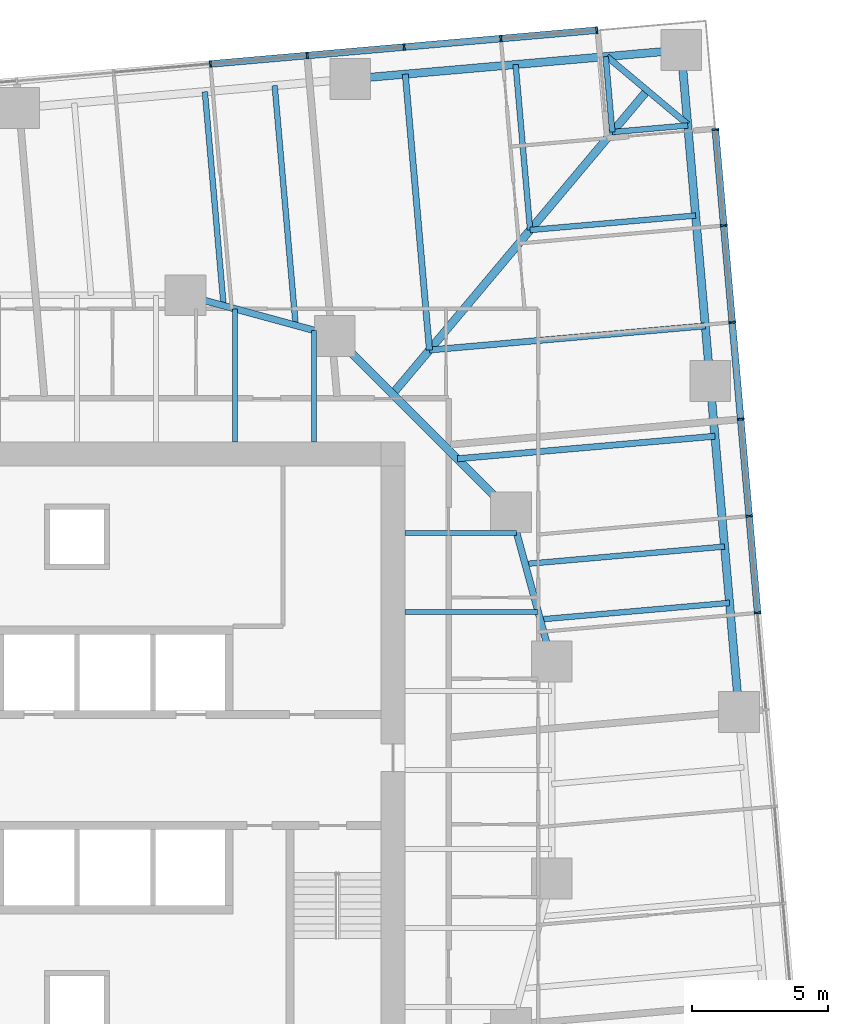
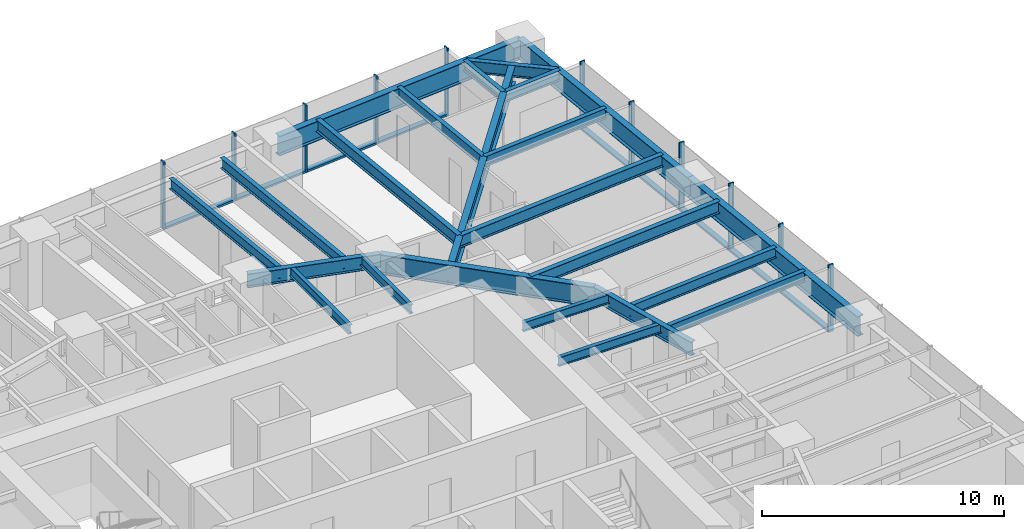
# One storey, part 6 of 14: 23 beams, 20 members, 2 elements without a shape of their own.
"""IFC4 building model written with IfcOpenShell, lengths in metres."""

from ifc_helpers import new_model, si_unit, direction, frame, origin, origin_2d, place, context, subcontext, project, spatial, rectangle, i_section, extrude, material, material_profile, profile_set, type_object, element, aggregate, save


model = new_model("IFC4")

# Units and contexts
model_context = context("Model", 3, precision=1e-05, world=origin(), true_north=direction((0.0, 1.0)))
body_context = subcontext(model_context, "Body", "Model", "MODEL_VIEW")
ifc_project = project(units=[si_unit("LENGTHUNIT", "METRE"), si_unit("AREAUNIT", "SQUARE_METRE"), si_unit("VOLUMEUNIT", "CUBIC_METRE"), si_unit("PLANEANGLEUNIT", "RADIAN"), si_unit("MASSUNIT", "GRAM", prefix="KILO")], contexts=[model_context])

# Site, building, storey
site_placement = place(None, origin())
site = spatial("IfcSite", under=ifc_project, at=site_placement, CompositionType="ELEMENT")
building_placement = place(site_placement, origin())
building = spatial("IfcBuilding", under=site, at=building_placement, Name="Torsade Residences", CompositionType="ELEMENT")
storey_placement = place(building_placement, frame((0.0, 0.0, 47.199951171875)))
storey = spatial("IfcBuildingStorey", under=building, at=storey_placement, Name="L12", CompositionType="ELEMENT", Elevation=47.199951171875)

# Beams
ifc_material_1 = material(Name="Steel grade 300", Category="steel")
ifc_material_profile_1 = material_profile(ifc_material_1, i_section(OverallWidth=0.300048828125, OverallDepth=0.89990234375, WebThickness=0.011962890625, FlangeThickness=0.02490234375, at=origin_2d()), Name="900WB175")
ifc_profile_set_1 = profile_set([ifc_material_profile_1], Name="Steel grade 300")
beam_type_1 = type_object("IfcBeamType", Name="CORNER GIRDER 900WB175", PredefinedType="BEAM", material=ifc_profile_set_1)
beam_1_placement = place(storey_placement, frame((61.021484375, 55.052490234375, 2.800048828125), z_axis=(-0.642785419012, -0.766046281307, 0.0), x_axis=(0.766046281307, -0.642785419012, 0.0)))
element("IfcBeam", 1, at=beam_1_placement, inside=storey, type_object=beam_type_1, Name="Corner girder 09 L13", PredefinedType="BEAM", context=body_context, shape_type="SweptSolid", body=[
    extrude(i_section(OverallWidth=0.300048828125, OverallDepth=0.89990234375, WebThickness=0.011962890625, FlangeThickness=0.02490234375, at=origin_2d()), origin(), (0.0, 0.0, 1.0), 14.603515625),
])
ifc_material_2 = material(Name="Steel grade 300", Category="steel")
ifc_material_profile_2 = material_profile(ifc_material_2, i_section(OverallWidth=0.22802734375, OverallDepth=0.60205078125, WebThickness=0.010498046875, FlangeThickness=0.014892578125, FilletRadius=0.013916015625, at=origin_2d()), Name="610UB101")
ifc_profile_set_2 = profile_set([ifc_material_profile_2], Name="Steel grade 300")
beam_type_2 = type_object("IfcBeamType", Name="CORNER TRIMMER 610UB101", PredefinedType="BEAM", material=ifc_profile_set_2)
beam_2_placement = place(storey_placement, frame((59.531982421875, 56.302490234375, 2.948974609375), z_axis=(0.766030001697, -0.642804819911, 0.0), x_axis=(0.642804819911, 0.766030001697, 0.0)))
element("IfcBeam", 2, at=beam_2_placement, inside=storey, type_object=beam_type_2, Name="Corner trimmer 09 L13", PredefinedType="BEAM", context=body_context, shape_type="SweptSolid", body=[
    extrude(i_section(OverallWidth=0.22802734375, OverallDepth=0.60205078125, WebThickness=0.010498046875, FlangeThickness=0.014892578125, FilletRadius=0.013916015625, at=origin_2d()), origin(), (0.0, 0.0, 1.0), 3.88916015625),
])

# Curtain wall, members
ifc_material_3 = material(Name="Aluminium and glass", Category="aluminium")
curtain_wall_type = type_object("IfcCurtainWallType", Name="FRITTED GLASS CURTAIN WALL LOW ZONE", PredefinedType="NOTDEFINED", material=ifc_material_3)
curtain_wall_1_placement = place(storey_placement, origin())
curtain_wall_1 = element("IfcCurtainWall", 3, at=curtain_wall_1_placement, inside=storey, type_object=curtain_wall_type, Name="Curtain wall L12 face 4", PredefinedType="NOTDEFINED")
ifc_material_4 = material(Name="Aluminium mullion", Category="aluminium")
ifc_material_profile_3 = material_profile(ifc_material_4, rectangle(XDim=0.25, YDim=0.06494140625, at=origin_2d()), Name="CURTAIN WALL MULLION 250x65")
ifc_profile_set_3 = profile_set([ifc_material_profile_3], Name="Aluminium mullion")
member_type_1 = type_object("IfcMemberType", Name="CURTAIN WALL MULLION 250x65", PredefinedType="MULLION", material=ifc_profile_set_3)
member_1_placement = place(storey_placement, frame((65.090576171875, 35.792236328125, 0.0), z_axis=(0.0, 0.0, 1.0), x_axis=(-0.996194697964, -0.087155744208, 0.0)))
member_1 = element("IfcMember", 4, at=member_1_placement, type_object=member_type_1, Name="Mullion 8", PredefinedType="MULLION", context=body_context, shape_type="SweptSolid", body=[
    extrude(rectangle(XDim=0.25, YDim=0.06494140625, at=origin_2d()), origin(), (0.0, 0.0, 1.0), 3.400146484375),
])
member_2_placement = place(storey_placement, frame((64.7783203125, 39.36181640625, 0.0), z_axis=(0.0, 0.0, 1.0), x_axis=(-0.996194697964, -0.087155744208, 0.0)))
member_2 = element("IfcMember", 5, at=member_2_placement, type_object=member_type_1, Name="Mullion 9", PredefinedType="MULLION", context=body_context, shape_type="SweptSolid", body=[
    extrude(rectangle(XDim=0.25, YDim=0.06494140625, at=origin_2d()), origin(), (0.0, 0.0, 1.0), 3.400146484375),
])
member_3_placement = place(storey_placement, frame((64.466064453125, 42.931640625, 0.0), z_axis=(0.0, 0.0, 1.0), x_axis=(-0.996194697964, -0.087155744208, 0.0)))
member_3 = element("IfcMember", 6, at=member_3_placement, type_object=member_type_1, Name="Mullion 10", PredefinedType="MULLION", context=body_context, shape_type="SweptSolid", body=[
    extrude(rectangle(XDim=0.25, YDim=0.06494140625, at=origin_2d()), origin(), (0.0, 0.0, 1.0), 3.400146484375),
])
member_4_placement = place(storey_placement, frame((64.15380859375, 46.501220703125, 0.0), z_axis=(0.0, 0.0, 1.0), x_axis=(-0.996194697964, -0.087155744208, 0.0)))
member_4 = element("IfcMember", 7, at=member_4_placement, type_object=member_type_1, Name="Mullion 11", PredefinedType="MULLION", context=body_context, shape_type="SweptSolid", body=[
    extrude(rectangle(XDim=0.25, YDim=0.06494140625, at=origin_2d()), origin(), (0.0, 0.0, 1.0), 3.400146484375),
])
member_5_placement = place(storey_placement, frame((63.84130859375, 50.071044921875, 0.0), z_axis=(0.0, 0.0, 1.0), x_axis=(-0.996194697964, -0.087155744208, 0.0)))
member_5 = element("IfcMember", 8, at=member_5_placement, type_object=member_type_1, Name="Mullion 12", PredefinedType="MULLION", context=body_context, shape_type="SweptSolid", body=[
    extrude(rectangle(XDim=0.25, YDim=0.06494140625, at=origin_2d()), origin(), (0.0, 0.0, 1.0), 3.400146484375),
])
member_6_placement = place(storey_placement, frame((63.531982421875, 53.6083984375, 0.0), z_axis=(0.0, 0.0, 1.0), x_axis=(-0.996194697964, -0.087155744208, 0.0)))
member_6 = element("IfcMember", 9, at=member_6_placement, type_object=member_type_1, Name="Mullion 13", PredefinedType="MULLION", context=body_context, shape_type="SweptSolid", body=[
    extrude(rectangle(XDim=0.25, YDim=0.06494140625, at=origin_2d()), origin(), (0.0, 0.0, 1.0), 3.400146484375),
])

curtain_wall_2_placement = place(storey_placement, origin())
curtain_wall_2 = element("IfcCurtainWall", 10, at=curtain_wall_2_placement, inside=storey, type_object=curtain_wall_type, Name="Curtain wall L12 face 7", PredefinedType="NOTDEFINED")
member_7_placement = place(storey_placement, frame((59.163330078125, 57.27392578125, 0.0), z_axis=(0.0, 0.0, 1.0), x_axis=(0.087155744208, -0.996194697964, 0.0)))
member_7 = element("IfcMember", 11, at=member_7_placement, type_object=member_type_1, Name="Mullion 1", PredefinedType="MULLION", context=body_context, shape_type="SweptSolid", body=[
    extrude(rectangle(XDim=0.25, YDim=0.06494140625, at=origin_2d()), origin(), (0.0, 0.0, 1.0), 3.400146484375),
])
member_8_placement = place(storey_placement, frame((55.6259765625, 56.964599609375, 0.0), z_axis=(0.0, 0.0, 1.0), x_axis=(0.087155744208, -0.996194697964, 0.0)))
member_8 = element("IfcMember", 12, at=member_8_placement, type_object=member_type_1, Name="Mullion 2", PredefinedType="MULLION", context=body_context, shape_type="SweptSolid", body=[
    extrude(rectangle(XDim=0.25, YDim=0.06494140625, at=origin_2d()), origin(), (0.0, 0.0, 1.0), 3.400146484375),
])
member_9_placement = place(storey_placement, frame((52.056396484375, 56.652099609375, 0.0), z_axis=(0.0, 0.0, 1.0), x_axis=(0.087155744208, -0.996194697964, 0.0)))
member_9 = element("IfcMember", 13, at=member_9_placement, type_object=member_type_1, Name="Mullion 3", PredefinedType="MULLION", context=body_context, shape_type="SweptSolid", body=[
    extrude(rectangle(XDim=0.25, YDim=0.06494140625, at=origin_2d()), origin(), (0.0, 0.0, 1.0), 3.400146484375),
])
member_10_placement = place(storey_placement, frame((48.486572265625, 56.33984375, 0.0), z_axis=(0.0, 0.0, 1.0), x_axis=(0.087155744208, -0.996194697964, 0.0)))
member_10 = element("IfcMember", 14, at=member_10_placement, type_object=member_type_1, Name="Mullion 4", PredefinedType="MULLION", context=body_context, shape_type="SweptSolid", body=[
    extrude(rectangle(XDim=0.25, YDim=0.06494140625, at=origin_2d()), origin(), (0.0, 0.0, 1.0), 3.400146484375),
])
member_11_placement = place(storey_placement, frame((44.9169921875, 56.027587890625, 0.0), z_axis=(0.0, 0.0, 1.0), x_axis=(0.087155744208, -0.996194697964, 0.0)))
member_11 = element("IfcMember", 15, at=member_11_placement, type_object=member_type_1, Name="Mullion 5", PredefinedType="MULLION", context=body_context, shape_type="SweptSolid", body=[
    extrude(rectangle(XDim=0.25, YDim=0.06494140625, at=origin_2d()), origin(), (0.0, 0.0, 1.0), 3.400146484375),
])

# Member
ifc_material_5 = material(Name="Aluminium transom", Category="aluminium")
ifc_material_profile_4 = material_profile(ifc_material_5, rectangle(XDim=0.25, YDim=0.10009765625, at=origin_2d()), Name="CURTAIN WALL TRANSOM 250x100")
ifc_profile_set_4 = profile_set([ifc_material_profile_4], Name="Aluminium transom")
member_type_2 = type_object("IfcMemberType", Name="CURTAIN WALL TRANSOM 250x100", PredefinedType="USERDEFINED", material=ifc_profile_set_4)
member_12_placement = place(storey_placement, frame((65.087890625, 35.824462890625, 0.050048828125), z_axis=(-0.08715059597, 0.996195148363, 0.0), x_axis=(-0.996195148363, -0.08715059597, 0.0)))
member_12 = element("IfcMember", 16, at=member_12_placement, type_object=member_type_2, Name="Transom 8.1", ObjectType="TRANSOM", PredefinedType="USERDEFINED", context=body_context, shape_type="SweptSolid", body=[
    extrude(rectangle(XDim=0.25, YDim=0.10009765625, at=origin_2d()), origin(), (0.0, 0.0, 1.0), 3.5185546875),
])

member_13_placement = place(storey_placement, frame((64.775634765625, 39.394287109375, 0.050048828125), z_axis=(-0.087156620531, 0.996194621295, 0.0), x_axis=(-0.996194621295, -0.087156620531, 0.0)))
member_13 = element("IfcMember", 17, at=member_13_placement, type_object=member_type_2, Name="Transom 9.1", ObjectType="TRANSOM", PredefinedType="USERDEFINED", context=body_context, shape_type="SweptSolid", body=[
    extrude(rectangle(XDim=0.25, YDim=0.10009765625, at=origin_2d()), origin(), (0.0, 0.0, 1.0), 3.518310546875),
])

member_14_placement = place(storey_placement, frame((64.463134765625, 42.9638671875, 0.050048828125), z_axis=(-0.08715059597, 0.996195148363, 0.0), x_axis=(-0.996195148363, -0.08715059597, 0.0)))
member_14 = element("IfcMember", 18, at=member_14_placement, type_object=member_type_2, Name="Transom 10.1", ObjectType="TRANSOM", PredefinedType="USERDEFINED", context=body_context, shape_type="SweptSolid", body=[
    extrude(rectangle(XDim=0.25, YDim=0.10009765625, at=origin_2d()), origin(), (0.0, 0.0, 1.0), 3.5185546875),
])

member_15_placement = place(storey_placement, frame((64.15087890625, 46.53369140625, 0.050048828125), z_axis=(-0.087156620531, 0.996194621295, 0.0), x_axis=(-0.996194621295, -0.087156620531, 0.0)))
member_15 = element("IfcMember", 19, at=member_15_placement, type_object=member_type_2, Name="Transom 11.1", ObjectType="TRANSOM", PredefinedType="USERDEFINED", context=body_context, shape_type="SweptSolid", body=[
    extrude(rectangle(XDim=0.25, YDim=0.10009765625, at=origin_2d()), origin(), (0.0, 0.0, 1.0), 3.518310546875),
])

member_16_placement = place(storey_placement, frame((63.838623046875, 50.103271484375, 0.050048828125), z_axis=(-0.08719475177, 0.996191284475, 0.0), x_axis=(-0.996191284475, -0.08719475177, 0.0)))
member_16 = element("IfcMember", 20, at=member_16_placement, type_object=member_type_2, Name="Transom 12.1", ObjectType="TRANSOM", PredefinedType="USERDEFINED", context=body_context, shape_type="SweptSolid", body=[
    extrude(rectangle(XDim=0.25, YDim=0.10009765625, at=origin_2d()), origin(), (0.0, 0.0, 1.0), 3.48583984375),
])

aggregate(curtain_wall_1, [member_1, member_2, member_3, member_4, member_5, member_6, member_12, member_13, member_14, member_15, member_16])

member_17_placement = place(storey_placement, frame((59.130859375, 57.271240234375, 0.050048828125), z_axis=(-0.996190751941, -0.0872008357, 0.0), x_axis=(0.0872008357, -0.996190751941, 0.0)))
member_17 = element("IfcMember", 21, at=member_17_placement, type_object=member_type_2, Name="Transom 1.1", ObjectType="TRANSOM", PredefinedType="USERDEFINED", context=body_context, shape_type="SweptSolid", body=[
    extrude(rectangle(XDim=0.25, YDim=0.10009765625, at=origin_2d()), origin(), (0.0, 0.0, 1.0), 3.485595703125),
])

member_18_placement = place(storey_placement, frame((55.59375, 56.961669921875, 0.050048828125), z_axis=(-0.996195148363, -0.08715059597, 0.0), x_axis=(0.08715059597, -0.996195148363, 0.0)))
member_18 = element("IfcMember", 22, at=member_18_placement, type_object=member_type_2, Name="Transom 2.1", ObjectType="TRANSOM", PredefinedType="USERDEFINED", context=body_context, shape_type="SweptSolid", body=[
    extrude(rectangle(XDim=0.25, YDim=0.10009765625, at=origin_2d()), origin(), (0.0, 0.0, 1.0), 3.5185546875),
])

member_19_placement = place(storey_placement, frame((52.02392578125, 56.6494140625, 0.050048828125), z_axis=(-0.996194621295, -0.087156620531, 0.0), x_axis=(0.087156620531, -0.996194621295, 0.0)))
member_19 = element("IfcMember", 23, at=member_19_placement, type_object=member_type_2, Name="Transom 3.1", ObjectType="TRANSOM", PredefinedType="USERDEFINED", context=body_context, shape_type="SweptSolid", body=[
    extrude(rectangle(XDim=0.25, YDim=0.10009765625, at=origin_2d()), origin(), (0.0, 0.0, 1.0), 3.518310546875),
])

member_20_placement = place(storey_placement, frame((48.454345703125, 56.337158203125, 0.050048828125), z_axis=(-0.996195148363, -0.08715059597, 0.0), x_axis=(0.08715059597, -0.996195148363, 0.0)))
member_20 = element("IfcMember", 24, at=member_20_placement, type_object=member_type_2, Name="Transom 4.1", ObjectType="TRANSOM", PredefinedType="USERDEFINED", context=body_context, shape_type="SweptSolid", body=[
    extrude(rectangle(XDim=0.25, YDim=0.10009765625, at=origin_2d()), origin(), (0.0, 0.0, 1.0), 3.5185546875),
])

aggregate(curtain_wall_2, [member_7, member_8, member_9, member_10, member_11, member_17, member_18, member_19, member_20])

# Beams
ifc_material_6 = material(Name="Steel grade 300", Category="steel")
ifc_material_profile_5 = material_profile(ifc_material_6, i_section(OverallWidth=0.300048828125, OverallDepth=1.0, WebThickness=0.01611328125, FlangeThickness=0.028076171875, at=origin_2d()), Name="1000WB215")
ifc_profile_set_5 = profile_set([ifc_material_profile_5], Name="Steel grade 300")
beam_type_3 = type_object("IfcBeamType", Name="EDGE BEAM 1000WB215", PredefinedType="SPANDREL", material=ifc_profile_set_5)
for number, where, z_axis, x_axis, name in (
    (25, (64.40673828125, 32.13525390625, 2.75), (-0.08715335259, 0.996194907201, 0.0), (-0.996194907201, -0.08715335259, 0.0), "Edge beam 07 L13"),
    (26, (63.339111328125, 44.338623046875, 2.75), (-0.08715335259, 0.996194907201, 0.0), (-0.996194907201, -0.08715335259, 0.0), "Edge beam 08 L13"),
    (27, (62.271484375, 56.5419921875, 2.75), (-0.996194907201, -0.08715335259, 0.0), (0.08715335259, -0.996194907201, 0.0), "Edge beam 09 L13"),
):
    element("IfcBeam", number, at=place(storey_placement, frame(where, z_axis=z_axis, x_axis=x_axis)), inside=storey, type_object=beam_type_3, Name=name, PredefinedType="SPANDREL", context=body_context, shape_type="SweptSolid", body=[
        extrude(i_section(OverallWidth=0.300048828125, OverallDepth=1.0, WebThickness=0.01611328125, FlangeThickness=0.028076171875, at=origin_2d()), origin(), (0.0, 0.0, 1.0), 12.25),
    ])
ifc_material_7 = material(Name="Steel grade 300", Category="steel")
ifc_material_profile_6 = material_profile(ifc_material_7, i_section(OverallWidth=0.18994140625, OverallDepth=0.4541015625, WebThickness=0.008544921875, FlangeThickness=0.0126953125, FilletRadius=0.011474609375, at=origin_2d()), Name="460UB67.1")
ifc_profile_set_6 = profile_set([ifc_material_profile_6], Name="Steel grade 300")
beam_type_4 = type_object("IfcBeamType", Name="INNER FLOOR BEAM 460UB67.1", PredefinedType="JOIST", material=ifc_profile_set_6)
beam_3_placement = place(storey_placement, frame((45.824951171875, 42.10009765625, 3.02294921875), z_axis=(0.0, 1.0, 0.0), x_axis=(-1.0, 0.0, 0.0)))
element("IfcBeam", 28, at=beam_3_placement, inside=storey, type_object=beam_type_4, Name="Inner floor beam IN06 L13", PredefinedType="JOIST", context=body_context, shape_type="SweptSolid", body=[
    extrude(i_section(OverallWidth=0.18994140625, OverallDepth=0.4541015625, WebThickness=0.008544921875, FlangeThickness=0.0126953125, FilletRadius=0.011474609375, at=origin_2d()), origin(), (0.0, 0.0, 1.0), 4.902099609375),
])
beam_4_placement = place(storey_placement, frame((48.737548828125, 42.10009765625, 3.02294921875), z_axis=(0.0, 1.0, 0.0), x_axis=(-1.0, 0.0, 0.0)))
element("IfcBeam", 29, at=beam_4_placement, inside=storey, type_object=beam_type_4, Name="Inner floor beam IN07 L13", PredefinedType="JOIST", context=body_context, shape_type="SweptSolid", body=[
    extrude(i_section(OverallWidth=0.18994140625, OverallDepth=0.4541015625, WebThickness=0.008544921875, FlangeThickness=0.0126953125, FilletRadius=0.011474609375, at=origin_2d()), origin(), (0.0, 0.0, 1.0), 4.10791015625),
])
beam_5_placement = place(storey_placement, frame((52.10009765625, 35.824951171875, 3.02294921875), z_axis=(1.0, 0.0, 0.0), x_axis=(0.0, 1.0, 0.0)))
element("IfcBeam", 30, at=beam_5_placement, inside=storey, type_object=beam_type_4, Name="Inner floor beam IE06 L13", PredefinedType="JOIST", context=body_context, shape_type="SweptSolid", body=[
    extrude(i_section(OverallWidth=0.18994140625, OverallDepth=0.4541015625, WebThickness=0.008544921875, FlangeThickness=0.0126953125, FilletRadius=0.011474609375, at=origin_2d()), origin(), (0.0, 0.0, 1.0), 4.902099609375),
])
beam_6_placement = place(storey_placement, frame((52.10009765625, 38.737548828125, 3.02294921875), z_axis=(1.0, 0.0, 0.0), x_axis=(0.0, 1.0, 0.0)))
element("IfcBeam", 31, at=beam_6_placement, inside=storey, type_object=beam_type_4, Name="Inner floor beam IE07 L13", PredefinedType="JOIST", context=body_context, shape_type="SweptSolid", body=[
    extrude(i_section(OverallWidth=0.18994140625, OverallDepth=0.4541015625, WebThickness=0.008544921875, FlangeThickness=0.0126953125, FilletRadius=0.011474609375, at=origin_2d()), origin(), (0.0, 0.0, 1.0), 4.10791015625),
])
ifc_material_8 = material(Name="Steel grade 300", Category="steel")
ifc_material_profile_7 = material_profile(ifc_material_8, i_section(OverallWidth=0.300048828125, OverallDepth=1.0, WebThickness=0.01611328125, FlangeThickness=0.028076171875, at=origin_2d()), Name="1000WB215")
ifc_profile_set_7 = profile_set([ifc_material_profile_7], Name="Steel grade 300")
beam_type_5 = type_object("IfcBeamType", Name="RING CORNER GIRDER 1000WB215", PredefinedType="BEAM", material=ifc_profile_set_7)
beam_7_placement = place(storey_placement, frame((56.0, 39.5, 2.75), z_axis=(-0.707106781187, 0.707106781187, 0.0), x_axis=(-0.707106781187, -0.707106781187, 0.0)))
element("IfcBeam", 32, at=beam_7_placement, inside=storey, type_object=beam_type_5, Name="Ring girder IR03 L13", PredefinedType="BEAM", context=body_context, shape_type="SweptSolid", body=[
    extrude(i_section(OverallWidth=0.300048828125, OverallDepth=1.0, WebThickness=0.01611328125, FlangeThickness=0.028076171875, at=origin_2d()), origin(), (0.0, 0.0, 1.0), 9.1923828125),
])
ifc_material_9 = material(Name="Steel grade 300", Category="steel")
ifc_material_profile_8 = material_profile(ifc_material_9, i_section(OverallWidth=0.25, OverallDepth=0.699951171875, WebThickness=0.010009765625, FlangeThickness=0.02001953125, at=origin_2d()), Name="700WB130")
ifc_profile_set_8 = profile_set([ifc_material_profile_8], Name="Steel grade 300")
beam_type_6 = type_object("IfcBeamType", Name="RING GIRDER 700WB130", PredefinedType="BEAM", material=ifc_profile_set_8)
for number, where, z_axis, x_axis, name in (
    (33, (57.5, 34.0, 2.900146484375), (-0.263117405792, 0.964763821238, 0.0), (-0.964763821238, -0.263117405792, 0.0), "Ring girder IR02 L13"),
    (34, (49.5, 46.0, 2.900146484375), (-0.964763821238, 0.263117405792, 0.0), (-0.263117405792, -0.964763821238, 0.0), "Ring girder IR04 L13"),
):
    element("IfcBeam", number, at=place(storey_placement, frame(where, z_axis=z_axis, x_axis=x_axis)), inside=storey, type_object=beam_type_6, Name=name, PredefinedType="BEAM", context=body_context, shape_type="SweptSolid", body=[
        extrude(i_section(OverallWidth=0.25, OverallDepth=0.699951171875, WebThickness=0.010009765625, FlangeThickness=0.02001953125, at=origin_2d()), origin(), (0.0, 0.0, 1.0), 5.700927734375),
    ])
ifc_material_10 = material(Name="Steel grade 300", Category="steel")
ifc_material_profile_9 = material_profile(ifc_material_10, i_section(OverallWidth=0.208984375, OverallDepth=0.528076171875, WebThickness=0.009521484375, FlangeThickness=0.01318359375, FilletRadius=0.013916015625, at=origin_2d()), Name="530UB82.0")
ifc_profile_set_9 = profile_set([ifc_material_profile_9], Name="Steel grade 300")
beam_type_7 = type_object("IfcBeamType", Name="SECONDARY BEAM 530UB82.0", PredefinedType="JOIST", material=ifc_profile_set_9)
beam_8_placement = place(storey_placement, frame((64.054443359375, 36.16162109375, 2.986083984375), z_axis=(-0.99619296077, -0.087175598142, 0.0), x_axis=(0.087175598142, -0.99619296077, 0.0)))
element("IfcBeam", 35, at=beam_8_placement, inside=storey, type_object=beam_type_7, Name="Floor beam FE07 L13", PredefinedType="JOIST", context=body_context, shape_type="SweptSolid", body=[
    extrude(i_section(OverallWidth=0.208984375, OverallDepth=0.528076171875, WebThickness=0.009521484375, FlangeThickness=0.01318359375, FilletRadius=0.013916015625, at=origin_2d()), origin(), (0.0, 0.0, 1.0), 7.004150390625),
])
beam_9_placement = place(storey_placement, frame((63.873046875, 38.237060546875, 2.986083984375), z_axis=(-0.996194650902, -0.087156282128, 0.0), x_axis=(0.087156282128, -0.996194650902, 0.0)))
element("IfcBeam", 36, at=beam_9_placement, inside=storey, type_object=beam_type_7, Name="Floor beam FE08 L13", PredefinedType="JOIST", context=body_context, shape_type="SweptSolid", body=[
    extrude(i_section(OverallWidth=0.208984375, OverallDepth=0.528076171875, WebThickness=0.009521484375, FlangeThickness=0.01318359375, FilletRadius=0.013916015625, at=origin_2d()), origin(), (0.0, 0.0, 1.0), 7.381103515625),
])
beam_10_placement = place(storey_placement, frame((62.80517578125, 50.4404296875, 2.986083984375), z_axis=(-0.996193025206, -0.087174861801, 0.0), x_axis=(0.087174861801, -0.996193025206, 0.0)))
element("IfcBeam", 37, at=beam_10_placement, inside=storey, type_object=beam_type_7, Name="Floor beam FE11 L13", PredefinedType="JOIST", context=body_context, shape_type="SweptSolid", body=[
    extrude(i_section(OverallWidth=0.208984375, OverallDepth=0.528076171875, WebThickness=0.009521484375, FlangeThickness=0.01318359375, FilletRadius=0.013916015625, at=origin_2d()), origin(), (0.0, 0.0, 1.0), 6.125),
])
for number, where, z_axis, x_axis, name in (
    (38, (62.5146484375, 53.760986328125, 2.986083984375), (-0.996199126418, -0.087105111923, 0.0), (0.087105111923, -0.996199126418, 0.0), "Floor beam FE12 L13"),
    (39, (59.490478515625, 56.298828125, 2.986083984375), (0.087105111923, -0.996199126418, 0.0), (0.996199126418, 0.087105111923, 0.0), "Floor beam FN01 L13"),
):
    element("IfcBeam", number, at=place(storey_placement, frame(where, z_axis=z_axis, x_axis=x_axis)), inside=storey, type_object=beam_type_7, Name=name, PredefinedType="JOIST", context=body_context, shape_type="SweptSolid", body=[
        extrude(i_section(OverallWidth=0.208984375, OverallDepth=0.528076171875, WebThickness=0.009521484375, FlangeThickness=0.01318359375, FilletRadius=0.013916015625, at=origin_2d()), origin(), (0.0, 0.0, 1.0), 2.79150390625),
    ])
beam_11_placement = place(storey_placement, frame((56.169677734375, 56.00830078125, 2.986083984375), z_axis=(0.087171400335, -0.996193328106, 0.0), x_axis=(0.996193328106, 0.087171400335, 0.0)))
element("IfcBeam", 40, at=beam_11_placement, inside=storey, type_object=beam_type_7, Name="Floor beam FN02 L13", PredefinedType="JOIST", context=body_context, shape_type="SweptSolid", body=[
    extrude(i_section(OverallWidth=0.208984375, OverallDepth=0.528076171875, WebThickness=0.009521484375, FlangeThickness=0.01318359375, FilletRadius=0.013916015625, at=origin_2d()), origin(), (0.0, 0.0, 1.0), 6.125244140625),
])
beam_12_placement = place(storey_placement, frame((47.287109375, 55.231201171875, 2.986083984375), z_axis=(0.08714612802, -0.996195539225, 0.0), x_axis=(0.996195539225, 0.08714612802, 0.0)))
element("IfcBeam", 41, at=beam_12_placement, inside=storey, type_object=beam_type_7, Name="Floor beam FN04 L13", PredefinedType="JOIST", context=body_context, shape_type="SweptSolid", body=[
    extrude(i_section(OverallWidth=0.208984375, OverallDepth=0.528076171875, WebThickness=0.009521484375, FlangeThickness=0.01318359375, FilletRadius=0.013916015625, at=origin_2d()), origin(), (0.0, 0.0, 1.0), 8.872314453125),
])
beam_13_placement = place(storey_placement, frame((44.713623046875, 55.005859375, 2.986083984375), z_axis=(0.087157771408, -0.996194520605, 0.0), x_axis=(0.996194520605, 0.087157771408, 0.0)))
element("IfcBeam", 42, at=beam_13_placement, inside=storey, type_object=beam_type_7, Name="Floor beam FN05 L13", PredefinedType="JOIST", context=body_context, shape_type="SweptSolid", body=[
    extrude(i_section(OverallWidth=0.208984375, OverallDepth=0.528076171875, WebThickness=0.009521484375, FlangeThickness=0.01318359375, FilletRadius=0.013916015625, at=origin_2d()), origin(), (0.0, 0.0, 1.0), 7.918701171875),
])
ifc_material_11 = material(Name="Steel grade 300", Category="steel")
ifc_material_profile_10 = material_profile(ifc_material_11, i_section(OverallWidth=0.22900390625, OverallDepth=0.612060546875, WebThickness=0.011962890625, FlangeThickness=0.01953125, FilletRadius=0.013916015625, at=origin_2d()), Name="610UB125")
ifc_profile_set_10 = profile_set([ifc_material_profile_10], Name="Steel grade 300")
beam_type_8 = type_object("IfcBeamType", Name="SECONDARY BEAM 610UB125", PredefinedType="JOIST", material=ifc_profile_set_10)
beam_14_placement = place(storey_placement, frame((63.51708984375, 42.3046875, 2.944091796875), z_axis=(-0.996195358323, -0.087148195942, 0.0), x_axis=(0.087148195942, -0.996195358323, 0.0)))
element("IfcBeam", 43, at=beam_14_placement, inside=storey, type_object=beam_type_8, Name="Floor beam FE09 L13", PredefinedType="JOIST", context=body_context, shape_type="SweptSolid", body=[
    extrude(i_section(OverallWidth=0.22900390625, OverallDepth=0.612060546875, WebThickness=0.011962890625, FlangeThickness=0.01953125, FilletRadius=0.013916015625, at=origin_2d()), origin(), (0.0, 0.0, 1.0), 9.527587890625),
])
for number, where, z_axis, x_axis, name in (
    (44, (63.1611328125, 46.37255859375, 2.944091796875), (-0.996195222988, -0.087149742944, 0.0), (0.087149742944, -0.996195222988, 0.0), "Floor beam FE10 L13"),
    (45, (52.10205078125, 55.65234375, 2.944091796875), (0.087149742944, -0.996195222988, 0.0), (0.996195222988, 0.087149742944, 0.0), "Floor beam FN03 L13"),
):
    element("IfcBeam", number, at=place(storey_placement, frame(where, z_axis=z_axis, x_axis=x_axis)), inside=storey, type_object=beam_type_8, Name=name, PredefinedType="JOIST", context=body_context, shape_type="SweptSolid", body=[
        extrude(i_section(OverallWidth=0.22900390625, OverallDepth=0.612060546875, WebThickness=0.011962890625, FlangeThickness=0.01953125, FilletRadius=0.013916015625, at=origin_2d()), origin(), (0.0, 0.0, 1.0), 10.208251953125),
    ])

save(model, "model.ifc")
